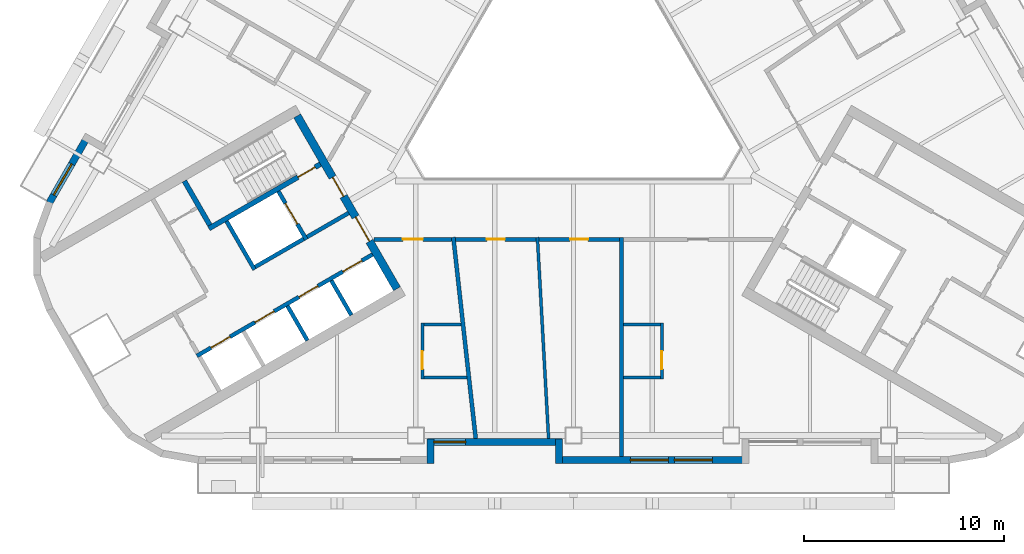
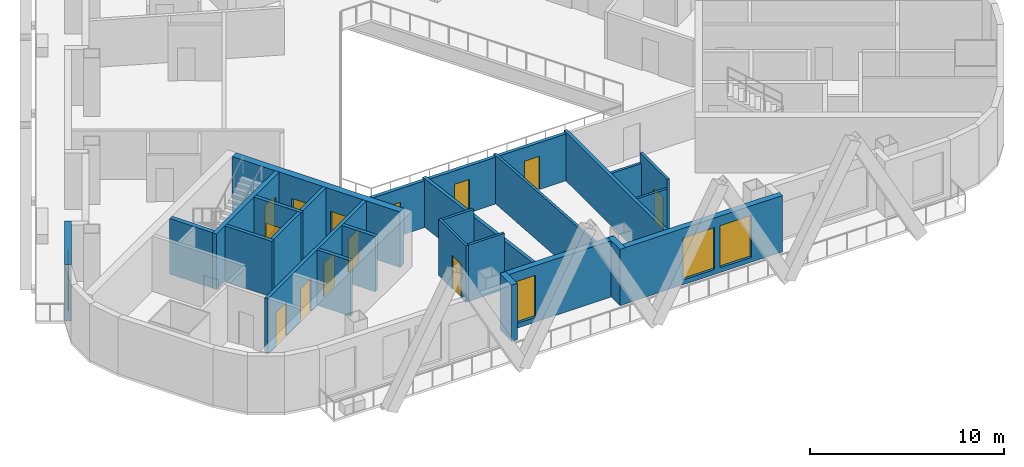
# One storey, part 3 of 13: 27 walls, 13 doors, 4 windows, 17 openings.
"""IFC4 building model written with IfcOpenShell, lengths in metres."""

from ifc_helpers import new_model, si_unit, direction, frame, frame_2d, origin, place, context, subcontext, project, spatial, rectangle, extrude, material, layer, layer_set, type_object, element, fill, save


model = new_model("IFC4")

# Units and contexts
model_context = context("Model", 3, precision=1e-05, world=origin(), true_north=direction((0.0, 1.0)))
body_context = subcontext(model_context, "Body", "Model", "MODEL_VIEW")
ifc_project = project(units=[si_unit("LENGTHUNIT", "METRE"), si_unit("AREAUNIT", "SQUARE_METRE"), si_unit("VOLUMEUNIT", "CUBIC_METRE"), si_unit("PLANEANGLEUNIT", "RADIAN"), si_unit("MASSUNIT", "GRAM", prefix="KILO")], contexts=[model_context])

# Site, building, storey
site_placement = place(None, origin())
site = spatial("IfcSite", under=ifc_project, at=site_placement, CompositionType="ELEMENT")
building_placement = place(site_placement, origin())
building = spatial("IfcBuilding", under=site, at=building_placement, Name="Apuvela Tower Hotel", CompositionType="ELEMENT")
storey_placement = place(building_placement, frame((0.0, 0.0, 161.39990234375)))
storey = spatial("IfcBuildingStorey", under=building, at=storey_placement, Name="L38", CompositionType="ELEMENT", Elevation=161.39990234375)

# Wall, openings, doors
ifc_material_1 = material(Name="Concrete C50/60", Category="concrete")
ifc_layer_1 = layer(ifc_material_1, 0.39990234375)
ifc_layer_set_1 = layer_set([ifc_layer_1], Name="COR-WALL-CORE-400")
wall_type_1 = type_object("IfcWallType", Name="COR-WALL-CORE-400", PredefinedType="SHEAR", material=ifc_layer_set_1)
wall_1_placement = place(storey_placement, frame((-13.844970703125, -2.219970703125, 0.0), z_axis=(0.0, 0.0, 1.0), x_axis=(0.500004234368, -0.866022959057, 0.0)))
wall_1 = element("IfcWall", 1, at=wall_1_placement, inside=storey, type_object=wall_type_1, Name="Core wall SW", PredefinedType="SHEAR", context=body_context, shape_type="SweptSolid", body=[
    extrude(rectangle(XDim=10.0, YDim=0.39990234375, at=frame_2d((5.0, 0.0))), origin(), (0.0, 0.0, 1.0), 3.5),
])
opening_1_placement = place(wall_1_placement, frame((3.550048828125, 0.0, 0.0)))
opening_1 = element("IfcOpeningElement", 2, at=opening_1_placement, cuts=wall_1, Name="Opening W-FD", PredefinedType="OPENING", context=body_context, shape_type="SweptSolid", body=[
    extrude(rectangle(XDim=1.10009765625, YDim=2.10009765625, at=frame_2d((0.550048828125, 1.050048828125))), frame((0.0, 0.2099609375, 0.0), z_axis=(0.0, -1.0, 0.0), x_axis=(1.0, 0.0, 0.0)), (0.0, 0.0, 1.0), 0.419921875),
])
opening_2_placement = place(wall_1_placement, frame((5.85009765625, 0.0, 0.0)))
opening_2 = element("IfcOpeningElement", 3, at=opening_2_placement, cuts=wall_1, Name="Opening W-GD", PredefinedType="OPENING", context=body_context, shape_type="SweptSolid", body=[
    extrude(rectangle(XDim=1.39990234375, YDim=2.10009765625, at=frame_2d((0.699951171875, 1.050048828125))), frame((0.0, 0.2099609375, 0.0), z_axis=(0.0, -1.0, 0.0), x_axis=(1.0, 0.0, 0.0)), (0.0, 0.0, 1.0), 0.419921875),
])
ifc_material_2 = material(Name="Steel fire door, powder coated", Category="steel")
door_type_1 = type_object("IfcDoorType", Name="COR-FD-1100", OperationType="NOTDEFINED", PredefinedType="DOOR", material=ifc_material_2)
door_1_placement = place(opening_1_placement, frame((1.10009765625, 0.0, 0.0), z_axis=(0.0, 0.0, 1.0), x_axis=(-1.0, 0.0, 0.0)))
door_1 = element("IfcDoor", 4, at=door_1_placement, inside=storey, type_object=door_type_1, Name="Firefighting lobby door W-FD", OperationType="SINGLE_SWING_LEFT", OverallHeight=2.10009765625, OverallWidth=1.10009765625, PredefinedType="DOOR", context=body_context, shape_type="SweptSolid", body=[
    extrude(rectangle(XDim=1.10009765625, YDim=2.10009765625, at=frame_2d((0.550048828125, 1.050048828125))), frame((0.0, 0.02490234375, 0.0), z_axis=(0.0, -1.0, 0.0), x_axis=(1.0, 0.0, 0.0)), (0.0, 0.0, 1.0), 0.050048828125),
])
fill(opening_1, door_1)
ifc_material_3 = material(Name="Glazed steel fire door", Category="steel")
door_type_2 = type_object("IfcDoorType", Name="COR-GD-1400", OperationType="DOUBLE_DOOR_SINGLE_SWING", PredefinedType="DOOR", material=ifc_material_3)
door_2_placement = place(opening_2_placement, frame((1.39990234375, 0.0, 0.0), z_axis=(0.0, 0.0, 1.0), x_axis=(-1.0, 0.0, 0.0)))
door_2 = element("IfcDoor", 5, at=door_2_placement, inside=storey, type_object=door_type_2, Name="Lift lobby door W-GD", OperationType="DOUBLE_DOOR_SINGLE_SWING", OverallHeight=2.10009765625, OverallWidth=1.39990234375, PredefinedType="DOOR", context=body_context, shape_type="SweptSolid", body=[
    extrude(rectangle(XDim=1.39990234375, YDim=2.10009765625, at=frame_2d((0.699951171875, 1.050048828125))), frame((0.0, 0.02490234375, 0.0), z_axis=(0.0, -1.0, 0.0), x_axis=(1.0, 0.0, 0.0)), (0.0, 0.0, 1.0), 0.050048828125),
])
fill(opening_2, door_2)

# Wall
ifc_layer_2 = layer(ifc_material_1, 0.199951171875)
ifc_layer_set_2 = layer_set([ifc_layer_2], Name="COR-WALL-SHAFT-200")
wall_type_2 = type_object("IfcWallType", Name="COR-WALL-SHAFT-200", PredefinedType="SHEAR", material=ifc_layer_set_2)
wall_2_placement = place(storey_placement, frame((-17.38134765625, -7.49462890625, 0.0), z_axis=(0.0, 0.0, 1.0), x_axis=(0.500011755427, -0.866018616679, 0.0)))
element("IfcWall", 6, at=wall_2_placement, inside=storey, type_object=wall_type_2, Name="Shaft wall SW", PredefinedType="SHEAR", context=body_context, shape_type="SweptSolid", body=[
    extrude(rectangle(XDim=2.80029296875, YDim=0.199951171875, at=frame_2d((1.400146484375, 0.0))), origin(), (0.0, 0.0, 1.0), 3.5),
])

# Wall, opening, door
wall_3_placement = place(storey_placement, frame((-14.783203125, -5.99462890625, 0.0), z_axis=(0.0, 0.0, 1.0), x_axis=(0.49994636267, -0.866056369097, 0.0)))
wall_3 = element("IfcWall", 7, at=wall_3_placement, inside=storey, type_object=wall_type_2, Name="Shaft wall SW", PredefinedType="SHEAR", context=body_context, shape_type="SweptSolid", body=[
    extrude(rectangle(XDim=2.800048828125, YDim=0.199951171875, at=frame_2d((1.39990234375, 0.0))), origin(), (0.0, 0.0, 1.0), 3.5),
])
opening_3_placement = place(wall_3_placement, frame((0.699951171875, 0.0, 0.0)))
opening_3 = element("IfcOpeningElement", 8, at=opening_3_placement, cuts=wall_3, Name="Opening W-LD-FS2", PredefinedType="OPENING", context=body_context, shape_type="SweptSolid", body=[
    extrude(rectangle(XDim=1.199951171875, YDim=2.10009765625, at=frame_2d((0.60009765625, 1.050048828125))), frame((0.0, 0.10986328125, 0.0), z_axis=(0.0, -1.0, 0.0), x_axis=(1.0, 0.0, 0.0)), (0.0, 0.0, 1.0), 0.219970703125),
])
ifc_material_4 = material(Name="Stainless steel lift landing door", Category="steel")
door_type_3 = type_object("IfcDoorType", Name="COR-LD-1200", OperationType="DOUBLE_DOOR_SLIDING", PredefinedType="DOOR", material=ifc_material_4)
door_3_placement = place(opening_3_placement, origin())
door_3 = element("IfcDoor", 9, at=door_3_placement, inside=storey, type_object=door_type_3, Name="Lift landing door W-LD-FS2", OperationType="DOUBLE_DOOR_SLIDING", OverallHeight=2.10009765625, OverallWidth=1.199951171875, PredefinedType="DOOR", context=body_context, shape_type="SweptSolid", body=[
    extrude(rectangle(XDim=1.199951171875, YDim=2.10009765625, at=frame_2d((0.60009765625, 1.050048828125))), frame((0.0, 0.02490234375, 0.0), z_axis=(0.0, -1.0, 0.0), x_axis=(1.0, 0.0, 0.0)), (0.0, 0.0, 1.0), 0.050048828125),
])
fill(opening_3, door_3)

# Walls
wall_4_placement = place(storey_placement, frame((-13.519775390625, -8.383056640625, 0.0), z_axis=(0.0, 0.0, 1.0), x_axis=(-0.866034573852, -0.49998411664, 0.0)))
element("IfcWall", 10, at=wall_4_placement, inside=storey, type_object=wall_type_2, Name="Shaft wall SW", PredefinedType="SHEAR", context=body_context, shape_type="SweptSolid", body=[
    extrude(rectangle(XDim=2.7998046875, YDim=0.199951171875, at=frame_2d((1.39990234375, 0.0))), origin(), (0.0, 0.0, 1.0), 3.5),
])
wall_5_placement = place(storey_placement, frame((-11.26806640625, -7.0830078125, 0.0), z_axis=(0.0, 0.0, 1.0), x_axis=(-0.866050077142, -0.499957262057, 0.0)))
element("IfcWall", 11, at=wall_5_placement, inside=storey, type_object=wall_type_2, Name="Shaft wall SW", PredefinedType="SHEAR", context=body_context, shape_type="SweptSolid", body=[
    extrude(rectangle(XDim=2.400146484375, YDim=0.199951171875, at=frame_2d((1.2001953125, 0.0))), origin(), (0.0, 0.0, 1.0), 3.5),
])

# Wall, openings, doors
wall_6_placement = place(storey_placement, frame((-10.068115234375, -9.16162109375, 0.0), z_axis=(0.0, 0.0, 1.0), x_axis=(-0.866032725843, -0.499987317609, 0.0)))
wall_6 = element("IfcWall", 12, at=wall_6_placement, inside=storey, type_object=wall_type_2, Name="Shaft wall SW", PredefinedType="SHEAR", context=body_context, shape_type="SweptSolid", body=[
    extrude(rectangle(XDim=10.159912109375, YDim=0.199951171875, at=frame_2d((5.080078125, 0.0))), origin(), (0.0, 0.0, 1.0), 3.5),
])
opening_4_placement = place(wall_6_placement, frame((0.6201171875, 0.0, 0.0)))
opening_4 = element("IfcOpeningElement", 13, at=opening_4_placement, cuts=wall_6, Name="Opening W-LD-MR1", PredefinedType="OPENING", context=body_context, shape_type="SweptSolid", body=[
    extrude(rectangle(XDim=1.10009765625, YDim=2.10009765625, at=frame_2d((0.550048828125, 1.050048828125))), frame((0.0, 0.10986328125, 0.0), z_axis=(0.0, -1.0, 0.0), x_axis=(1.0, 0.0, 0.0)), (0.0, 0.0, 1.0), 0.219970703125),
])
opening_5_placement = place(wall_6_placement, frame((3.159912109375, 0.0, 0.0)))
opening_5 = element("IfcOpeningElement", 14, at=opening_5_placement, cuts=wall_6, Name="Opening W-LD-MR2", PredefinedType="OPENING", context=body_context, shape_type="SweptSolid", body=[
    extrude(rectangle(XDim=1.10009765625, YDim=2.10009765625, at=frame_2d((0.550048828125, 1.050048828125))), frame((0.0, 0.10986328125, 0.0), z_axis=(0.0, -1.0, 0.0), x_axis=(1.0, 0.0, 0.0)), (0.0, 0.0, 1.0), 0.219970703125),
])
opening_6_placement = place(wall_6_placement, frame((5.699951171875, 0.0, 0.0)))
opening_6 = element("IfcOpeningElement", 15, at=opening_6_placement, cuts=wall_6, Name="Opening W-LD-MR3", PredefinedType="OPENING", context=body_context, shape_type="SweptSolid", body=[
    extrude(rectangle(XDim=1.10009765625, YDim=2.10009765625, at=frame_2d((0.550048828125, 1.050048828125))), frame((0.0, 0.10986328125, 0.0), z_axis=(0.0, -1.0, 0.0), x_axis=(1.0, 0.0, 0.0)), (0.0, 0.0, 1.0), 0.219970703125),
])
opening_7_placement = place(wall_6_placement, frame((8.239990234375, 0.0, 0.0)))
opening_7 = element("IfcOpeningElement", 16, at=opening_7_placement, cuts=wall_6, Name="Opening W-LD-MR4", PredefinedType="OPENING", context=body_context, shape_type="SweptSolid", body=[
    extrude(rectangle(XDim=1.10009765625, YDim=2.10009765625, at=frame_2d((0.550048828125, 1.050048828125))), frame((0.0, 0.10986328125, 0.0), z_axis=(0.0, -1.0, 0.0), x_axis=(1.0, 0.0, 0.0)), (0.0, 0.0, 1.0), 0.219970703125),
])
door_type_4 = type_object("IfcDoorType", Name="COR-LD-1100", OperationType="DOUBLE_DOOR_SLIDING", PredefinedType="DOOR", material=ifc_material_4)
door_4_placement = place(opening_4_placement, origin())
door_4 = element("IfcDoor", 17, at=door_4_placement, inside=storey, type_object=door_type_4, Name="Lift landing door W-LD-MR1", OperationType="DOUBLE_DOOR_SLIDING", OverallHeight=2.10009765625, OverallWidth=1.10009765625, PredefinedType="DOOR", context=body_context, shape_type="SweptSolid", body=[
    extrude(rectangle(XDim=1.10009765625, YDim=2.10009765625, at=frame_2d((0.550048828125, 1.050048828125))), frame((0.0, 0.02490234375, 0.0), z_axis=(0.0, -1.0, 0.0), x_axis=(1.0, 0.0, 0.0)), (0.0, 0.0, 1.0), 0.050048828125),
])
fill(opening_4, door_4)
door_5_placement = place(opening_5_placement, origin())
door_5 = element("IfcDoor", 18, at=door_5_placement, inside=storey, type_object=door_type_4, Name="Lift landing door W-LD-MR2", OperationType="DOUBLE_DOOR_SLIDING", OverallHeight=2.10009765625, OverallWidth=1.10009765625, PredefinedType="DOOR", context=body_context, shape_type="SweptSolid", body=[
    extrude(rectangle(XDim=1.10009765625, YDim=2.10009765625, at=frame_2d((0.550048828125, 1.050048828125))), frame((0.0, 0.02490234375, 0.0), z_axis=(0.0, -1.0, 0.0), x_axis=(1.0, 0.0, 0.0)), (0.0, 0.0, 1.0), 0.050048828125),
])
fill(opening_5, door_5)
door_6_placement = place(opening_6_placement, origin())
door_6 = element("IfcDoor", 19, at=door_6_placement, inside=storey, type_object=door_type_4, Name="Lift landing door W-LD-MR3", OperationType="DOUBLE_DOOR_SLIDING", OverallHeight=2.10009765625, OverallWidth=1.10009765625, PredefinedType="DOOR", context=body_context, shape_type="SweptSolid", body=[
    extrude(rectangle(XDim=1.10009765625, YDim=2.10009765625, at=frame_2d((0.550048828125, 1.050048828125))), frame((0.0, 0.02490234375, 0.0), z_axis=(0.0, -1.0, 0.0), x_axis=(1.0, 0.0, 0.0)), (0.0, 0.0, 1.0), 0.050048828125),
])
fill(opening_6, door_6)
door_7_placement = place(opening_7_placement, origin())
door_7 = element("IfcDoor", 20, at=door_7_placement, inside=storey, type_object=door_type_4, Name="Lift landing door W-LD-MR4", OperationType="DOUBLE_DOOR_SLIDING", OverallHeight=2.10009765625, OverallWidth=1.10009765625, PredefinedType="DOOR", context=body_context, shape_type="SweptSolid", body=[
    extrude(rectangle(XDim=1.10009765625, YDim=2.10009765625, at=frame_2d((0.550048828125, 1.050048828125))), frame((0.0, 0.02490234375, 0.0), z_axis=(0.0, -1.0, 0.0), x_axis=(1.0, 0.0, 0.0)), (0.0, 0.0, 1.0), 0.050048828125),
])
fill(opening_7, door_7)

# Walls
for number, where, z_axis, x_axis, name in (
    (21, (-12.131103515625, -10.468017578125, 0.0), (0.0, 0.0, 1.0), (0.499972520799, -0.866041268327, 0.0), "Shaft wall SW"),
    (22, (-14.330810546875, -11.738037109375, 0.0), (0.0, 0.0, 1.0), (0.499972520799, -0.866041268327, 0.0), "Shaft wall SW"),
):
    element("IfcWall", number, at=place(storey_placement, frame(where, z_axis=z_axis, x_axis=x_axis)), inside=storey, type_object=wall_type_2, Name=name, PredefinedType="SHEAR", context=body_context, shape_type="SweptSolid", body=[
        extrude(rectangle(XDim=2.0, YDim=0.199951171875, at=frame_2d((1.0, 0.0))), origin(), (0.0, 0.0, 1.0), 3.5),
    ])

# Wall, opening, door
ifc_layer_3 = layer(ifc_material_1, 0.25)
ifc_layer_set_3 = layer_set([ifc_layer_3], Name="COR-WALL-STAIR-250")
wall_type_3 = type_object("IfcWallType", Name="COR-WALL-STAIR-250", PredefinedType="SHEAR", material=ifc_layer_set_3)
wall_7_placement = place(storey_placement, frame((-12.6806640625, -4.636474609375, 0.0), z_axis=(0.0, 0.0, 1.0), x_axis=(-0.866021702275, -0.500006411147, 0.0)))
wall_7 = element("IfcWall", 23, at=wall_7_placement, inside=storey, type_object=wall_type_3, Name="Stair wall SW", PredefinedType="SHEAR", context=body_context, shape_type="SweptSolid", body=[
    extrude(rectangle(XDim=6.4501953125, YDim=0.25, at=frame_2d((3.22509765625, 0.0))), origin(), (0.0, 0.0, 1.0), 3.5),
])
opening_8_placement = place(wall_7_placement, frame((0.300048828125, 0.0, 0.0)))
opening_8 = element("IfcOpeningElement", 24, at=opening_8_placement, cuts=wall_7, Name="Opening W-SD", PredefinedType="OPENING", context=body_context, shape_type="SweptSolid", body=[
    extrude(rectangle(XDim=1.0, YDim=2.10009765625, at=frame_2d((0.5, 1.050048828125))), frame((0.0, 0.135009765625, 0.0), z_axis=(0.0, -1.0, 0.0), x_axis=(1.0, 0.0, 0.0)), (0.0, 0.0, 1.0), 0.27001953125),
])
door_type_5 = type_object("IfcDoorType", Name="COR-SD-1000", OperationType="NOTDEFINED", PredefinedType="DOOR", material=ifc_material_2)
door_8_placement = place(opening_8_placement, frame((1.0, 0.0, 0.0), z_axis=(0.0, 0.0, 1.0), x_axis=(-1.0, 0.0, 0.0)))
door_8 = element("IfcDoor", 25, at=door_8_placement, inside=storey, type_object=door_type_5, Name="Stair door W-SD", OperationType="SINGLE_SWING_LEFT", OverallHeight=2.10009765625, OverallWidth=1.0, PredefinedType="DOOR", context=body_context, shape_type="SweptSolid", body=[
    extrude(rectangle(XDim=1.0, YDim=2.10009765625, at=frame_2d((0.5, 1.050048828125))), frame((0.0, 0.02490234375, 0.0), z_axis=(0.0, -1.0, 0.0), x_axis=(1.0, 0.0, 0.0)), (0.0, 0.0, 1.0), 0.050048828125),
])
fill(opening_8, door_8)

# Wall
wall_8_placement = place(storey_placement, frame((-19.49560546875, -5.482421875, 0.0), z_axis=(0.0, 0.0, 1.0), x_axis=(0.499990435942, -0.866030925526, 0.0)))
element("IfcWall", 26, at=wall_8_placement, inside=storey, type_object=wall_type_3, Name="Stair wall SW", PredefinedType="SHEAR", context=body_context, shape_type="SweptSolid", body=[
    extrude(rectangle(XDim=2.5498046875, YDim=0.25, at=frame_2d((1.27490234375, 0.0))), origin(), (0.0, 0.0, 1.0), 3.5),
])

# Wall, opening, window
ifc_material_5 = material(Name="Concrete C40/50, dark pigmented precast panel", Category="concrete")
ifc_layer_4 = layer(ifc_material_5, 0.35009765625)
ifc_layer_set_4 = layer_set([ifc_layer_4], Name="ENV-WALL-350")
wall_type_4 = type_object("IfcWallType", Name="ENV-WALL-350", PredefinedType="SOLIDWALL", material=ifc_layer_set_4)
wall_9_placement = place(storey_placement, frame((-24.298583984375, -3.17626953125, 0.0), z_axis=(0.0, 0.0, 1.0), x_axis=(-0.500028278809, -0.866009076391, 0.0)))
wall_9 = element("IfcWall", 27, at=wall_9_placement, inside=storey, type_object=wall_type_4, Name="External wall L38-09", PredefinedType="SOLIDWALL", context=body_context, shape_type="SweptSolid", body=[
    extrude(rectangle(XDim=3.915771484375, YDim=0.35009765625, at=frame_2d((1.9580078125, 0.0))), origin(), (0.0, 0.0, 1.0), 3.550048828125),
])
opening_9_placement = place(wall_9_placement, frame((1.675048828125, 0.0, 0.300048828125)))
opening_9 = element("IfcOpeningElement", 28, at=opening_9_placement, cuts=wall_9, Name="Opening WN18", PredefinedType="OPENING", context=body_context, shape_type="SweptSolid", body=[
    extrude(rectangle(XDim=1.800048828125, YDim=2.64990234375, at=frame_2d((0.89990234375, 1.324951171875))), frame((0.0, 0.18505859375, 0.0), z_axis=(0.0, -1.0, 0.0), x_axis=(1.0, 0.0, 0.0)), (0.0, 0.0, 1.0), 0.3701171875),
])
ifc_material_6 = material(Name="Glass, dark tinted laminated insulated glazing unit", Category="glass")
window_type_1 = type_object("IfcWindowType", Name="ENV-WIN-1800x2650", PartitioningType="SINGLE_PANEL", PredefinedType="WINDOW", material=ifc_material_6)
window_1_placement = place(opening_9_placement, origin())
window_1 = element("IfcWindow", 29, at=window_1_placement, inside=storey, type_object=window_type_1, Name="Window WN18", OverallHeight=2.64990234375, OverallWidth=1.800048828125, PartitioningType="SINGLE_PANEL", PredefinedType="WINDOW", context=body_context, shape_type="SweptSolid", body=[
    extrude(rectangle(XDim=1.800048828125, YDim=2.64990234375, at=frame_2d((0.89990234375, 1.324951171875))), frame((0.0, 0.030029296875, 0.0), z_axis=(0.0, -1.0, 0.0), x_axis=(1.0, 0.0, 0.0)), (0.0, 0.0, 1.0), 0.06005859375),
])
fill(opening_9, window_1)

# Wall
wall_10_placement = place(storey_placement, frame((-7.175048828125, -19.6298828125, 0.0), z_axis=(0.0, 0.0, 1.0), x_axis=(0.0, 1.0, 0.0)))
element("IfcWall", 30, at=wall_10_placement, inside=storey, type_object=wall_type_4, Name="External wall L38-18", PredefinedType="SOLIDWALL", context=body_context, shape_type="SweptSolid", body=[
    extrude(rectangle(XDim=1.219970703125, YDim=0.35009765625, at=frame_2d((0.60986328125, 0.0))), origin(), (0.0, 0.0, 1.0), 3.550048828125),
])

# Wall, opening, window
wall_11_placement = place(storey_placement, frame((-7.320068359375, -18.554931640625, 0.0), z_axis=(0.0, 0.0, 1.0), x_axis=(1.0, 0.0, 0.0)))
wall_11 = element("IfcWall", 31, at=wall_11_placement, inside=storey, type_object=wall_type_4, Name="External wall L38-19", PredefinedType="SOLIDWALL", context=body_context, shape_type="SweptSolid", body=[
    extrude(rectangle(XDim=6.739990234375, YDim=0.35009765625, at=frame_2d((3.3701171875, 0.0))), origin(), (0.0, 0.0, 1.0), 3.550048828125),
])
opening_10_placement = place(wall_11_placement, frame((0.3203125, 0.0, 0.300048828125)))
opening_10 = element("IfcOpeningElement", 32, at=opening_10_placement, cuts=wall_11, Name="Opening WN16", PredefinedType="OPENING", context=body_context, shape_type="SweptSolid", body=[
    extrude(rectangle(XDim=1.60009765625, YDim=2.64990234375, at=frame_2d((0.800048828125, 1.324951171875))), frame((0.0, 0.18505859375, 0.0), z_axis=(0.0, -1.0, 0.0), x_axis=(1.0, 0.0, 0.0)), (0.0, 0.0, 1.0), 0.3701171875),
])
window_type_2 = type_object("IfcWindowType", Name="ENV-WIN-1600x2650", PartitioningType="SINGLE_PANEL", PredefinedType="WINDOW", material=ifc_material_6)
window_2_placement = place(opening_10_placement, origin())
window_2 = element("IfcWindow", 33, at=window_2_placement, inside=storey, type_object=window_type_2, Name="Window WN16", OverallHeight=2.64990234375, OverallWidth=1.60009765625, PartitioningType="SINGLE_PANEL", PredefinedType="WINDOW", context=body_context, shape_type="SweptSolid", body=[
    extrude(rectangle(XDim=1.60009765625, YDim=2.64990234375, at=frame_2d((0.800048828125, 1.324951171875))), frame((0.0, 0.030029296875, 0.0), z_axis=(0.0, -1.0, 0.0), x_axis=(1.0, 0.0, 0.0)), (0.0, 0.0, 1.0), 0.06005859375),
])
fill(opening_10, window_2)

# Wall
wall_12_placement = place(storey_placement, frame((-0.72509765625, -18.409912109375, 0.0), z_axis=(0.0, 0.0, 1.0), x_axis=(0.0, -1.0, 0.0)))
element("IfcWall", 34, at=wall_12_placement, inside=storey, type_object=wall_type_4, Name="External wall L38-20", PredefinedType="SOLIDWALL", context=body_context, shape_type="SweptSolid", body=[
    extrude(rectangle(XDim=1.219970703125, YDim=0.35009765625, at=frame_2d((0.60986328125, 0.0))), origin(), (0.0, 0.0, 1.0), 3.550048828125),
])

# Wall, openings, windows
wall_13_placement = place(storey_placement, frame((-0.89990234375, -19.455078125, 0.0), z_axis=(0.0, 0.0, 1.0), x_axis=(1.0, 0.0, 0.0)))
wall_13 = element("IfcWall", 35, at=wall_13_placement, inside=storey, type_object=wall_type_4, Name="External wall L38-21", PredefinedType="SOLIDWALL", context=body_context, shape_type="SweptSolid", body=[
    extrude(rectangle(XDim=9.699951171875, YDim=0.35009765625, at=frame_2d((4.85009765625, 0.0))), origin(), (0.0, 0.0, 1.0), 3.550048828125),
])
opening_11_placement = place(wall_13_placement, frame((3.75, 0.0, 0.300048828125)))
opening_11 = element("IfcOpeningElement", 36, at=opening_11_placement, cuts=wall_13, Name="Opening WN19", PredefinedType="OPENING", context=body_context, shape_type="SweptSolid", body=[
    extrude(rectangle(XDim=1.89990234375, YDim=2.64990234375, at=frame_2d((0.949951171875, 1.324951171875))), frame((0.0, 0.18505859375, 0.0), z_axis=(0.0, -1.0, 0.0), x_axis=(1.0, 0.0, 0.0)), (0.0, 0.0, 1.0), 0.3701171875),
])
opening_12_placement = place(wall_13_placement, frame((5.949951171875, 0.0, 0.300048828125)))
opening_12 = element("IfcOpeningElement", 37, at=opening_12_placement, cuts=wall_13, Name="Opening WN19", PredefinedType="OPENING", context=body_context, shape_type="SweptSolid", body=[
    extrude(rectangle(XDim=1.89990234375, YDim=2.64990234375, at=frame_2d((0.949951171875, 1.324951171875))), frame((0.0, 0.18505859375, 0.0), z_axis=(0.0, -1.0, 0.0), x_axis=(1.0, 0.0, 0.0)), (0.0, 0.0, 1.0), 0.3701171875),
])
window_type_3 = type_object("IfcWindowType", Name="ENV-WIN-1900x2650", PartitioningType="SINGLE_PANEL", PredefinedType="WINDOW", material=ifc_material_6)
window_3_placement = place(opening_11_placement, origin())
window_3 = element("IfcWindow", 38, at=window_3_placement, inside=storey, type_object=window_type_3, Name="Window WN19", OverallHeight=2.64990234375, OverallWidth=1.89990234375, PartitioningType="SINGLE_PANEL", PredefinedType="WINDOW", context=body_context, shape_type="SweptSolid", body=[
    extrude(rectangle(XDim=1.89990234375, YDim=2.64990234375, at=frame_2d((0.949951171875, 1.324951171875))), frame((0.0, 0.030029296875, 0.0), z_axis=(0.0, -1.0, 0.0), x_axis=(1.0, 0.0, 0.0)), (0.0, 0.0, 1.0), 0.06005859375),
])
fill(opening_11, window_3)
window_4_placement = place(opening_12_placement, origin())
window_4 = element("IfcWindow", 39, at=window_4_placement, inside=storey, type_object=window_type_3, Name="Window WN19", OverallHeight=2.64990234375, OverallWidth=1.89990234375, PartitioningType="SINGLE_PANEL", PredefinedType="WINDOW", context=body_context, shape_type="SweptSolid", body=[
    extrude(rectangle(XDim=1.89990234375, YDim=2.64990234375, at=frame_2d((0.949951171875, 1.324951171875))), frame((0.0, 0.030029296875, 0.0), z_axis=(0.0, -1.0, 0.0), x_axis=(1.0, 0.0, 0.0)), (0.0, 0.0, 1.0), 0.06005859375),
])
fill(opening_12, window_4)

# Walls
ifc_material_7 = material(Name="Gypsum board partition on twin steel stud", Category="steel")
ifc_layer_5 = layer(ifc_material_7, 0.199951171875)
ifc_layer_set_5 = layer_set([ifc_layer_5], Name="GST-PW1")
wall_type_5 = type_object("IfcWallType", Name="GST-PW1", PredefinedType="PARTITIONING", material=ifc_layer_set_5)
wall_14_placement = place(storey_placement, frame((-4.900146484375, -18.3798828125, 0.0), z_axis=(0.0, 0.0, 1.0), x_axis=(-0.110634961609, 0.993861109648, 0.0)))
element("IfcWall", 40, at=wall_14_placement, inside=storey, type_object=wall_type_5, Name="L38 partition 01", PredefinedType="PARTITIONING", context=body_context, shape_type="SweptSolid", body=[
    extrude(rectangle(XDim=10.14208984375, YDim=0.199951171875, at=frame_2d((5.071044921875, 0.0))), origin(), (0.0, 0.0, 1.0), 3.06005859375),
])
wall_15_placement = place(storey_placement, frame((2.39990234375, -19.280029296875, 0.0), z_axis=(0.0, 0.0, 1.0), x_axis=(0.0, 1.0, 0.0)))
element("IfcWall", 41, at=wall_15_placement, inside=storey, type_object=wall_type_5, Name="L38 partition 02", PredefinedType="PARTITIONING", context=body_context, shape_type="SweptSolid", body=[
    extrude(rectangle(XDim=10.97998046875, YDim=0.199951171875, at=frame_2d((5.489990234375, 0.0))), origin(), (0.0, 0.0, 1.0), 3.06005859375),
])

# Wall, opening, door
ifc_material_8 = material(Name="Gypsum board corridor wall on twin steel stud, acoustic", Category="steel")
ifc_layer_6 = layer(ifc_material_8, 0.199951171875)
ifc_layer_set_6 = layer_set([ifc_layer_6], Name="GST-PW2")
wall_type_6 = type_object("IfcWallType", Name="GST-PW2", PredefinedType="PARTITIONING", material=ifc_layer_set_6)
wall_16_placement = place(storey_placement, frame((-6.11181640625, -8.39990234375, 0.0), z_axis=(0.0, 0.0, 1.0), x_axis=(-1.0, 0.0, 0.0)))
wall_16 = element("IfcWall", 42, at=wall_16_placement, inside=storey, type_object=wall_type_6, Name="L38 partition 07", PredefinedType="PARTITIONING", context=body_context, shape_type="SweptSolid", body=[
    extrude(rectangle(XDim=3.87646484375, YDim=0.199951171875, at=frame_2d((1.938232421875, 0.0))), origin(), (0.0, 0.0, 1.0), 2.9501953125),
])
opening_13_placement = place(wall_16_placement, frame((1.438232421875, 0.0, 0.0)))
opening_13 = element("IfcOpeningElement", 43, at=opening_13_placement, cuts=wall_16, Name="Opening GD14-02", PredefinedType="OPENING", context=body_context, shape_type="SweptSolid", body=[
    extrude(rectangle(XDim=1.0, YDim=2.10009765625, at=frame_2d((0.5, 1.050048828125))), frame((0.0, 0.10986328125, 0.0), z_axis=(0.0, -1.0, 0.0), x_axis=(1.0, 0.0, 0.0)), (0.0, 0.0, 1.0), 0.219970703125),
])
ifc_material_9 = material(Name="Timber door leaf in steel frame", Category="steel")
door_type_6 = type_object("IfcDoorType", Name="GST-D1", OperationType="NOTDEFINED", PredefinedType="DOOR", material=ifc_material_9)
door_9_placement = place(opening_13_placement, origin())
door_9 = element("IfcDoor", 44, at=door_9_placement, inside=storey, type_object=door_type_6, Name="Door L38-02", OperationType="SINGLE_SWING_LEFT", OverallHeight=2.10009765625, OverallWidth=1.0, PredefinedType="DOOR", context=body_context, shape_type="SweptSolid", body=[
    extrude(rectangle(XDim=1.0, YDim=2.10009765625, at=frame_2d((0.5, 1.050048828125))), frame((0.0, 0.02490234375, 0.0), z_axis=(0.0, -1.0, 0.0), x_axis=(1.0, 0.0, 0.0)), (0.0, 0.0, 1.0), 0.050048828125),
])
fill(opening_13, door_9)

wall_17_placement = place(storey_placement, frame((-1.880615234375, -8.39990234375, 0.0), z_axis=(0.0, 0.0, 1.0), x_axis=(-1.0, 0.0, 0.0)))
wall_17 = element("IfcWall", 45, at=wall_17_placement, inside=storey, type_object=wall_type_6, Name="L38 partition 12", PredefinedType="PARTITIONING", context=body_context, shape_type="SweptSolid", body=[
    extrude(rectangle(XDim=4.02978515625, YDim=0.199951171875, at=frame_2d((2.014892578125, 0.0))), origin(), (0.0, 0.0, 1.0), 2.9501953125),
])
opening_14_placement = place(wall_17_placement, frame((1.56494140625, 0.0, 0.0)))
opening_14 = element("IfcOpeningElement", 46, at=opening_14_placement, cuts=wall_17, Name="Opening GD14-03", PredefinedType="OPENING", context=body_context, shape_type="SweptSolid", body=[
    extrude(rectangle(XDim=0.89990234375, YDim=2.10009765625, at=frame_2d((0.449951171875, 1.050048828125))), frame((0.0, 0.10986328125, 0.0), z_axis=(0.0, -1.0, 0.0), x_axis=(1.0, 0.0, 0.0)), (0.0, 0.0, 1.0), 0.219970703125),
])
door_type_7 = type_object("IfcDoorType", Name="GST-D2", OperationType="NOTDEFINED", PredefinedType="DOOR", material=ifc_material_9)
door_10_placement = place(opening_14_placement, origin())
door_10 = element("IfcDoor", 47, at=door_10_placement, inside=storey, type_object=door_type_7, Name="Door L38-03", OperationType="SINGLE_SWING_LEFT", OverallHeight=2.10009765625, OverallWidth=0.89990234375, PredefinedType="DOOR", context=body_context, shape_type="SweptSolid", body=[
    extrude(rectangle(XDim=0.89990234375, YDim=2.10009765625, at=frame_2d((0.449951171875, 1.050048828125))), frame((0.0, 0.02490234375, 0.0), z_axis=(0.0, -1.0, 0.0), x_axis=(1.0, 0.0, 0.0)), (0.0, 0.0, 1.0), 0.050048828125),
])
fill(opening_14, door_10)

wall_18_placement = place(storey_placement, frame((2.300048828125, -8.39990234375, 0.0), z_axis=(0.0, 0.0, 1.0), x_axis=(-1.0, 0.0, 0.0)))
wall_18 = element("IfcWall", 48, at=wall_18_placement, inside=storey, type_object=wall_type_6, Name="L38 partition 13", PredefinedType="PARTITIONING", context=body_context, shape_type="SweptSolid", body=[
    extrude(rectangle(XDim=4.03076171875, YDim=0.199951171875, at=frame_2d((2.015380859375, 0.0))), origin(), (0.0, 0.0, 1.0), 2.9501953125),
])
opening_15_placement = place(wall_18_placement, frame((1.565185546875, 0.0, 0.0)))
opening_15 = element("IfcOpeningElement", 49, at=opening_15_placement, cuts=wall_18, Name="Opening GD14-04", PredefinedType="OPENING", context=body_context, shape_type="SweptSolid", body=[
    extrude(rectangle(XDim=0.89990234375, YDim=2.10009765625, at=frame_2d((0.449951171875, 1.050048828125))), frame((0.0, 0.10986328125, 0.0), z_axis=(0.0, -1.0, 0.0), x_axis=(1.0, 0.0, 0.0)), (0.0, 0.0, 1.0), 0.219970703125),
])
door_11_placement = place(opening_15_placement, origin())
door_11 = element("IfcDoor", 50, at=door_11_placement, inside=storey, type_object=door_type_7, Name="Door L38-04", OperationType="SINGLE_SWING_RIGHT", OverallHeight=2.10009765625, OverallWidth=0.89990234375, PredefinedType="DOOR", context=body_context, shape_type="SweptSolid", body=[
    extrude(rectangle(XDim=0.89990234375, YDim=2.10009765625, at=frame_2d((0.449951171875, 1.050048828125))), frame((0.0, 0.02490234375, 0.0), z_axis=(0.0, -1.0, 0.0), x_axis=(1.0, 0.0, 0.0)), (0.0, 0.0, 1.0), 0.050048828125),
])
fill(opening_15, door_11)

ifc_material_10 = material(Name="Moisture-resistant gypsum board wet wall on steel stud", Category="steel")
ifc_layer_7 = layer(ifc_material_10, 0.14990234375)
ifc_layer_set_7 = layer_set([ifc_layer_7], Name="GST-PW3")
wall_type_7 = type_object("IfcWallType", Name="GST-PW3", PredefinedType="PARTITIONING", material=ifc_layer_set_7)
wall_19_placement = place(storey_placement, frame((-7.569091796875, -12.60009765625, 0.0), z_axis=(0.0, 0.0, 1.0), x_axis=(0.0, -1.0, 0.0)))
wall_19 = element("IfcWall", 51, at=wall_19_placement, inside=storey, type_object=wall_type_7, Name="L38 partition 08", PredefinedType="PARTITIONING", context=body_context, shape_type="SweptSolid", body=[
    extrude(rectangle(XDim=2.7998046875, YDim=0.14990234375, at=frame_2d((1.39990234375, 0.0))), origin(), (0.0, 0.0, 1.0), 3.550048828125),
])
opening_16_placement = place(wall_19_placement, frame((1.39990234375, 0.0, 0.0)))
opening_16 = element("IfcOpeningElement", 52, at=opening_16_placement, cuts=wall_19, Name="Opening GD14-01", PredefinedType="OPENING", context=body_context, shape_type="SweptSolid", body=[
    extrude(rectangle(XDim=0.89990234375, YDim=2.10009765625, at=frame_2d((0.449951171875, 1.050048828125))), frame((0.0, 0.0849609375, 0.0), z_axis=(0.0, -1.0, 0.0), x_axis=(1.0, 0.0, 0.0)), (0.0, 0.0, 1.0), 0.169921875),
])
door_12_placement = place(opening_16_placement, origin())
door_12 = element("IfcDoor", 53, at=door_12_placement, inside=storey, type_object=door_type_7, Name="Door L38-01", OperationType="SINGLE_SWING_RIGHT", OverallHeight=2.10009765625, OverallWidth=0.89990234375, PredefinedType="DOOR", context=body_context, shape_type="SweptSolid", body=[
    extrude(rectangle(XDim=0.89990234375, YDim=2.10009765625, at=frame_2d((0.449951171875, 1.050048828125))), frame((0.0, 0.02490234375, 0.0), z_axis=(0.0, -1.0, 0.0), x_axis=(1.0, 0.0, 0.0)), (0.0, 0.0, 1.0), 0.050048828125),
])
fill(opening_16, door_12)

# Walls
wall_20_placement = place(storey_placement, frame((-7.494140625, -15.324951171875, 0.0), z_axis=(0.0, 0.0, 1.0), x_axis=(1.0, 0.0, 0.0)))
element("IfcWall", 54, at=wall_20_placement, inside=storey, type_object=wall_type_7, Name="L38 partition 09", PredefinedType="PARTITIONING", context=body_context, shape_type="SweptSolid", body=[
    extrude(rectangle(XDim=2.1533203125, YDim=0.14990234375, at=frame_2d((1.07666015625, 0.0))), origin(), (0.0, 0.0, 1.0), 3.550048828125),
])
wall_21_placement = place(storey_placement, frame((-7.494140625, -12.675048828125, 0.0), z_axis=(0.0, 0.0, 1.0), x_axis=(1.0, 0.0, 0.0)))
element("IfcWall", 55, at=wall_21_placement, inside=storey, type_object=wall_type_7, Name="L38 partition 10", PredefinedType="PARTITIONING", context=body_context, shape_type="SweptSolid", body=[
    extrude(rectangle(XDim=1.858154296875, YDim=0.14990234375, at=frame_2d((0.92919921875, 0.0))), origin(), (0.0, 0.0, 1.0), 3.550048828125),
])
wall_22_placement = place(storey_placement, frame((-1.25, -18.3798828125, 0.0), z_axis=(0.0, 0.0, 1.0), x_axis=(-0.055573151667, 0.998454618305, 0.0)))
element("IfcWall", 56, at=wall_22_placement, inside=storey, type_object=wall_type_7, Name="L38 partition 11", PredefinedType="PARTITIONING", context=body_context, shape_type="SweptSolid", body=[
    extrude(rectangle(XDim=10.095458984375, YDim=0.14990234375, at=frame_2d((5.0478515625, 0.0))), origin(), (0.0, 0.0, 1.0), 3.06005859375),
])

# Wall, opening, door
wall_23_placement = place(storey_placement, frame((4.425048828125, -15.39990234375, 0.0), z_axis=(0.0, 0.0, 1.0), x_axis=(0.0, 1.0, 0.0)))
wall_23 = element("IfcWall", 57, at=wall_23_placement, inside=storey, type_object=wall_type_7, Name="L38 partition 15", PredefinedType="PARTITIONING", context=body_context, shape_type="SweptSolid", body=[
    extrude(rectangle(XDim=2.7998046875, YDim=0.14990234375, at=frame_2d((1.39990234375, 0.0))), origin(), (0.0, 0.0, 1.0), 3.550048828125),
])
opening_17_placement = place(wall_23_placement, frame((0.5, 0.0, 0.0)))
opening_17 = element("IfcOpeningElement", 58, at=opening_17_placement, cuts=wall_23, Name="Opening GD14-05", PredefinedType="OPENING", context=body_context, shape_type="SweptSolid", body=[
    extrude(rectangle(XDim=0.89990234375, YDim=2.10009765625, at=frame_2d((0.449951171875, 1.050048828125))), frame((0.0, 0.0849609375, 0.0), z_axis=(0.0, -1.0, 0.0), x_axis=(1.0, 0.0, 0.0)), (0.0, 0.0, 1.0), 0.169921875),
])
door_13_placement = place(opening_17_placement, origin())
door_13 = element("IfcDoor", 59, at=door_13_placement, inside=storey, type_object=door_type_7, Name="Door L38-05", OperationType="SINGLE_SWING_LEFT", OverallHeight=2.10009765625, OverallWidth=0.89990234375, PredefinedType="DOOR", context=body_context, shape_type="SweptSolid", body=[
    extrude(rectangle(XDim=0.89990234375, YDim=2.10009765625, at=frame_2d((0.449951171875, 1.050048828125))), frame((0.0, 0.02490234375, 0.0), z_axis=(0.0, -1.0, 0.0), x_axis=(1.0, 0.0, 0.0)), (0.0, 0.0, 1.0), 0.050048828125),
])
fill(opening_17, door_13)

# Walls
for number, where, z_axis, x_axis, name in (
    (60, (2.5, -15.324951171875, 0.0), (0.0, 0.0, 1.0), (1.0, 0.0, 0.0), "L38 partition 16"),
    (61, (2.5, -12.675048828125, 0.0), (0.0, 0.0, 1.0), (1.0, 0.0, 0.0), "L38 partition 17"),
):
    element("IfcWall", number, at=place(storey_placement, frame(where, z_axis=z_axis, x_axis=x_axis)), inside=storey, type_object=wall_type_7, Name=name, PredefinedType="PARTITIONING", context=body_context, shape_type="SweptSolid", body=[
        extrude(rectangle(XDim=1.85009765625, YDim=0.14990234375, at=frame_2d((0.925048828125, 0.0))), origin(), (0.0, 0.0, 1.0), 2.9501953125),
    ])

save(model, "model.ifc")
